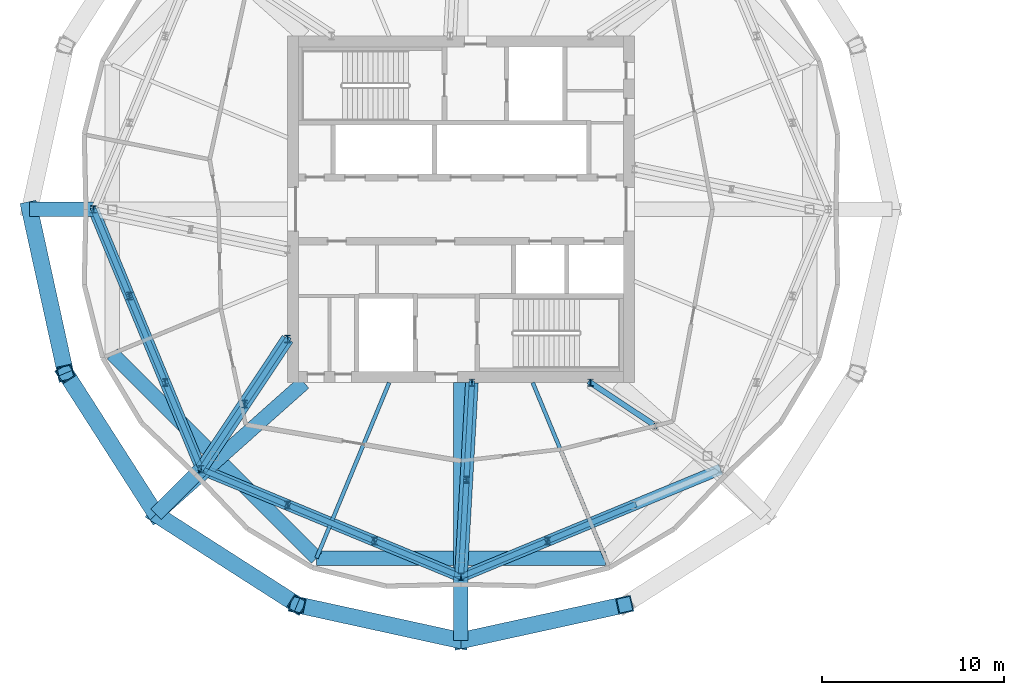
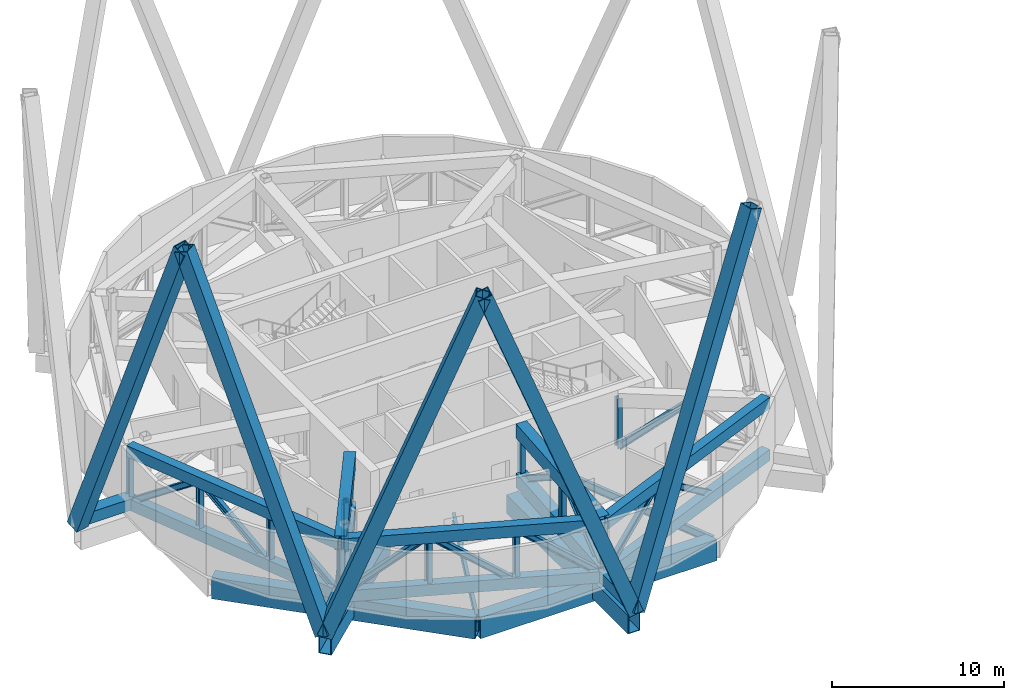
# One storey, part 3 of 19: 41 members, 9 beams.
"""IFC4 building model written with IfcOpenShell, lengths in metres."""

from ifc_helpers import new_model, si_unit, direction, frame, origin, origin_2d, place, context, subcontext, project, spatial, hollow_rectangle, i_section, extrude, material, material_profile, profile_set, type_object, element, save


model = new_model("IFC4")

# Units and contexts
model_context = context("Model", 3, precision=1e-05, world=origin(), true_north=direction((0.0, 1.0)))
body_context = subcontext(model_context, "Body", "Model", "MODEL_VIEW")
ifc_project = project(units=[si_unit("LENGTHUNIT", "METRE"), si_unit("AREAUNIT", "SQUARE_METRE"), si_unit("VOLUMEUNIT", "CUBIC_METRE"), si_unit("PLANEANGLEUNIT", "RADIAN"), si_unit("MASSUNIT", "GRAM", prefix="KILO")], contexts=[model_context])

# Site, building, storey
site_placement = place(None, origin())
site = spatial("IfcSite", under=ifc_project, at=site_placement, CompositionType="ELEMENT")
building_placement = place(site_placement, origin())
building = spatial("IfcBuilding", under=site, at=building_placement, Name="Ogive Gate Towers", CompositionType="ELEMENT")
storey_placement = place(building_placement, frame((0.0, 0.0, 216.300048828125)))
storey = spatial("IfcBuildingStorey", under=building, at=storey_placement, Name="L52", CompositionType="ELEMENT", Elevation=216.300048828125)

# Members
ifc_material_1 = material(Name="Steel SM460", Category="steel")
ifc_material_profile_1 = material_profile(ifc_material_1, hollow_rectangle(XDim=0.89990234375, YDim=0.89990234375, WallThickness=0.06005859375, at=origin_2d()), Name="BX 900x900x60")
ifc_profile_set_1 = profile_set([ifc_material_profile_1], Name="Steel SM460")
member_type_1 = type_object("IfcMemberType", Name="Diagrid diagonal BX 900x900x60", PredefinedType="BRACE", material=ifc_profile_set_1)
for number, where, z_axis, x_axis, name in (
    (1, (-59.639892578125, 0.0, 0.0), (0.075657502601, -0.345566183474, 0.935339486571), (0.976861702074, 0.21387195941, 0.0), "T1/L52/SDG010"),
    (2, (-52.716064453125, -16.716064453125, 0.0), (-0.190849196279, 0.297855932112, 0.935338670207), (-0.841987125326, -0.539497618887, 0.0), "T1/L52/SDG011"),
    (3, (-52.716064453125, -16.716064453125, 0.0), (0.297855932112, -0.190849196279, 0.935338670207), (0.539497618887, 0.841987125326, 0.0), "T1/L52/SDG012"),
    (4, (-36.0, -23.639892578125, 0.0), (-0.345566183474, 0.075657502601, 0.935339486571), (-0.21387195941, -0.976861702074, 0.0), "T1/L52/SDG013"),
    (5, (-36.0, -23.639892578125, 0.0), (0.345566183474, 0.075657502601, 0.935339486571), (-0.21387195941, 0.976861702074, 0.0), "T1/L52/SDG014"),
):
    element("IfcMember", number, at=place(storey_placement, frame(where, z_axis=z_axis, x_axis=x_axis)), inside=storey, type_object=member_type_1, Name=name, PredefinedType="BRACE", context=body_context, shape_type="SweptSolid", body=[
        extrude(hollow_rectangle(XDim=0.89990234375, YDim=0.89990234375, WallThickness=0.06005859375, at=origin_2d()), origin(), (0.0, 0.0, 1.0), 25.97998046875),
    ])

# Beams
ifc_material_profile_2 = material_profile(ifc_material_1, hollow_rectangle(XDim=0.800048828125, YDim=1.5, WallThickness=0.06005859375, at=origin_2d()), Name="BX 1500x800x60")
ifc_profile_set_2 = profile_set([ifc_material_profile_2], Name="Steel SM460")
beam_type_1 = type_object("IfcBeamType", Name="Edge girder BX 1500x800x60", PredefinedType="BEAM", material=ifc_profile_set_2)
beam_1_placement = place(storey_placement, frame((-55.114990234375, -7.917724609375, -1.050048828125), z_axis=(0.707106781187, -0.707106781187, 0.0), x_axis=(0.707106781187, 0.707106781187, 0.0)))
element("IfcBeam", 6, at=beam_1_placement, inside=storey, type_object=beam_type_1, Name="T1/L52/SBM017", PredefinedType="BEAM", context=body_context, shape_type="SweptSolid", body=[
    extrude(hollow_rectangle(XDim=0.800048828125, YDim=1.5, WallThickness=0.06005859375, at=origin_2d()), origin(), (0.0, 0.0, 1.0), 15.835205078125),
])
beam_2_placement = place(storey_placement, frame((-43.917724609375, -19.114990234375, -1.050048828125), z_axis=(1.0, 0.0, 0.0), x_axis=(0.0, 1.0, 0.0)))
element("IfcBeam", 7, at=beam_2_placement, inside=storey, type_object=beam_type_1, Name="T1/L52/SBM018", PredefinedType="BEAM", context=body_context, shape_type="SweptSolid", body=[
    extrude(hollow_rectangle(XDim=0.800048828125, YDim=1.5, WallThickness=0.06005859375, at=origin_2d()), origin(), (0.0, 0.0, 1.0), 15.83544921875),
])
ifc_material_profile_3 = material_profile(ifc_material_1, hollow_rectangle(XDim=0.800048828125, YDim=0.800048828125, WallThickness=0.050048828125, at=origin_2d()), Name="BX 800x800x50")
ifc_profile_set_3 = profile_set([ifc_material_profile_3], Name="Steel SM460")
beam_type_2 = type_object("IfcBeamType", Name="Node arm BX 800x800x50", PredefinedType="BEAM", material=ifc_profile_set_3)
for number, where, z_axis, x_axis, name in (
    (8, (-56.139892578125, 0.0, 0.449951171875), (-1.0, 0.0, 0.0), (0.0, -1.0, 0.0), "T1/L52/SBM029"),
    (9, (-50.2412109375, -14.2412109375, 0.449951171875), (-0.707106781187, -0.707106781187, 0.0), (0.707106781187, -0.707106781187, 0.0), "T1/L52/SBM030"),
    (10, (-36.0, -20.139892578125, 0.449951171875), (0.0, -1.0, 0.0), (1.0, 0.0, 0.0), "T1/L52/SBM031"),
):
    element("IfcBeam", number, at=place(storey_placement, frame(where, z_axis=z_axis, x_axis=x_axis)), inside=storey, type_object=beam_type_2, Name=name, PredefinedType="BEAM", context=body_context, shape_type="SweptSolid", body=[
        extrude(hollow_rectangle(XDim=0.800048828125, YDim=0.800048828125, WallThickness=0.050048828125, at=origin_2d()), origin(), (0.0, 0.0, 1.0), 3.5),
    ])
ifc_material_2 = material(Name="Steel SM355", Category="steel")
ifc_material_profile_4 = material_profile(ifc_material_2, i_section(OverallWidth=0.2099609375, OverallDepth=0.550048828125, WebThickness=0.010986328125, FlangeThickness=0.01708984375, FilletRadius=0.02392578125, at=origin_2d()), Name="IPE 550")
ifc_profile_set_4 = profile_set([ifc_material_profile_4], Name="Steel SM355")
beam_type_3 = type_object("IfcBeamType", Name="Radial floor beam IPE 550", PredefinedType="BEAM", material=ifc_profile_set_4)
for number, where, z_axis, x_axis, name in (
    (11, (-39.93505859375, -9.5, -0.574951171875), (-0.382683978464, -0.92387930631, 0.0), (0.92387930631, -0.382683978464, 0.0), "T1/L52/SBM003"),
    (12, (-32.06494140625, -9.5, -0.574951171875), (0.382683978464, -0.92387930631, 0.0), (0.92387930631, 0.382683978464, 0.0), "T1/L52/SBM005"),
):
    element("IfcBeam", number, at=place(storey_placement, frame(where, z_axis=z_axis, x_axis=x_axis)), inside=storey, type_object=beam_type_3, Name=name, PredefinedType="BEAM", context=body_context, shape_type="SweptSolid", body=[
        extrude(i_section(OverallWidth=0.2099609375, OverallDepth=0.550048828125, WebThickness=0.010986328125, FlangeThickness=0.01708984375, FilletRadius=0.02392578125, at=origin_2d()), origin(), (0.0, 0.0, 1.0), 10.4072265625),
    ])
ifc_material_profile_5 = material_profile(ifc_material_1, hollow_rectangle(XDim=0.800048828125, YDim=1.199951171875, WallThickness=0.050048828125, at=origin_2d()), Name="BX 1200x800x50")
ifc_profile_set_5 = profile_set([ifc_material_profile_5], Name="Steel SM460")
beam_type_4 = type_object("IfcBeamType", Name="Transfer radial beam BX 1200x800x50", PredefinedType="BEAM", material=ifc_profile_set_5)
beam_3_placement = place(storey_placement, frame((-44.60009765625, -9.5, -0.900146484375), z_axis=(-0.747323731033, -0.664460112449, 0.0), x_axis=(0.664460112449, -0.747323731033, 0.0)))
element("IfcBeam", 13, at=beam_3_placement, inside=storey, type_object=beam_type_4, Name="T1/L52/SBM002", PredefinedType="BEAM", context=body_context, shape_type="SweptSolid", body=[
    extrude(hollow_rectangle(XDim=0.800048828125, YDim=1.199951171875, WallThickness=0.050048828125, at=origin_2d()), origin(), (0.0, 0.0, 1.0), 10.860107421875),
])
ifc_material_profile_6 = material_profile(ifc_material_1, hollow_rectangle(XDim=0.800048828125, YDim=1.300048828125, WallThickness=0.050048828125, at=origin_2d()), Name="BX 1300x800x50")
ifc_profile_set_6 = profile_set([ifc_material_profile_6], Name="Steel SM460")
beam_type_5 = type_object("IfcBeamType", Name="Transfer radial beam BX 1300x800x50", PredefinedType="BEAM", material=ifc_profile_set_6)
beam_4_placement = place(storey_placement, frame((-36.0, -9.5, -0.949951171875), z_axis=(0.0, -1.0, 0.0), x_axis=(1.0, 0.0, 0.0)))
element("IfcBeam", 14, at=beam_4_placement, inside=storey, type_object=beam_type_5, Name="T1/L52/SBM004", PredefinedType="BEAM", context=body_context, shape_type="SweptSolid", body=[
    extrude(hollow_rectangle(XDim=0.800048828125, YDim=1.300048828125, WallThickness=0.050048828125, at=origin_2d()), origin(), (0.0, 0.0, 1.0), 14.139892578125),
])

# Members
ifc_material_profile_7 = material_profile(ifc_material_1, hollow_rectangle(XDim=0.699951171875, YDim=1.0, WallThickness=0.050048828125, at=origin_2d()), Name="BX 1000x700x50")
ifc_profile_set_7 = profile_set([ifc_material_profile_7], Name="Steel SM460")
member_type_2 = type_object("IfcMemberType", Name="Truss chord BX 1000x700x50", PredefinedType="CHORD", material=ifc_profile_set_7)
for number, where, z_axis, x_axis, name in (
    (15, (-45.5, -7.10009765625, 0.5), (-0.55312173103, -0.833100444522, 0.0), (0.833100444522, -0.55312173103, 0.0), "T1/L52/STR080"),
    (16, (-45.5, -7.10009765625, 4.0), (-0.55312173103, -0.833100444522, 0.0), (0.833100444522, -0.55312173103, 0.0), "T1/L52/STR081"),
):
    element("IfcMember", number, at=place(storey_placement, frame(where, z_axis=z_axis, x_axis=x_axis)), inside=storey, type_object=member_type_2, Name=name, PredefinedType="CHORD", context=body_context, shape_type="SweptSolid", body=[
        extrude(hollow_rectangle(XDim=0.699951171875, YDim=1.0, WallThickness=0.050048828125, at=origin_2d()), origin(), (0.0, 0.0, 1.0), 8.57177734375),
    ])
for number, where, z_axis, x_axis, name in (
    (17, (-35.39990234375, -9.5, 0.5), (-0.056311232009, -0.998413263709, 0.0), (0.998413263709, -0.056311232009, 0.0), "T1/L52/STR094"),
    (18, (-35.39990234375, -9.5, 4.0), (-0.056311232009, -0.998413263709, 0.0), (0.998413263709, -0.056311232009, 0.0), "T1/L52/STR095"),
):
    element("IfcMember", number, at=place(storey_placement, frame(where, z_axis=z_axis, x_axis=x_axis)), inside=storey, type_object=member_type_2, Name=name, PredefinedType="CHORD", context=body_context, shape_type="SweptSolid", body=[
        extrude(hollow_rectangle(XDim=0.699951171875, YDim=1.0, WallThickness=0.050048828125, at=origin_2d()), origin(), (0.0, 0.0, 1.0), 10.65673828125),
    ])
ifc_material_profile_8 = material_profile(ifc_material_1, hollow_rectangle(XDim=0.60009765625, YDim=0.800048828125, WallThickness=0.0400390625, at=origin_2d()), Name="BX 800x600x40")
ifc_profile_set_8 = profile_set([ifc_material_profile_8], Name="Steel SM460")
member_type_3 = type_object("IfcMemberType", Name="Truss chord BX 800x600x40", PredefinedType="CHORD", material=ifc_profile_set_8)
for number, where, z_axis, x_axis, name in (
    (19, (-56.139892578125, 0.0, 0.39990234375), (0.382671190687, -0.923884603085, 0.0), (0.923884603085, 0.382671190687, 0.0), "T1/L52/STR058"),
    (20, (-56.139892578125, 0.0, 4.099853515625), (0.382671190687, -0.923884603085, 0.0), (0.923884603085, 0.382671190687, 0.0), "T1/L52/STR059"),
    (21, (-50.2412109375, -14.2412109375, 0.39990234375), (0.923884603085, -0.382671190687, 0.0), (0.382671190687, 0.923884603085, 0.0), "T1/L52/STR072"),
    (22, (-50.2412109375, -14.2412109375, 4.099853515625), (0.923884603085, -0.382671190687, 0.0), (0.382671190687, 0.923884603085, 0.0), "T1/L52/STR073"),
    (23, (-36.0, -20.139892578125, 0.39990234375), (0.923884603085, 0.382671190687, 0.0), (-0.382671190687, 0.923884603085, 0.0), "T1/L52/STR086"),
    (24, (-36.0, -20.139892578125, 4.099853515625), (0.923884603085, 0.382671190687, 0.0), (-0.382671190687, 0.923884603085, 0.0), "T1/L52/STR087"),
):
    element("IfcMember", number, at=place(storey_placement, frame(where, z_axis=z_axis, x_axis=x_axis)), inside=storey, type_object=member_type_3, Name=name, PredefinedType="CHORD", context=body_context, shape_type="SweptSolid", body=[
        extrude(hollow_rectangle(XDim=0.60009765625, YDim=0.800048828125, WallThickness=0.0400390625, at=origin_2d()), origin(), (0.0, 0.0, 1.0), 15.41455078125),
    ])
ifc_material_profile_9 = material_profile(ifc_material_1, i_section(OverallWidth=0.300048828125, OverallDepth=0.39990234375, WebThickness=0.013427734375, FlangeThickness=0.02392578125, FilletRadius=0.027099609375, at=origin_2d()), Name="HE 400 B")
ifc_profile_set_9 = profile_set([ifc_material_profile_9], Name="Steel SM460")
member_type_4 = type_object("IfcMemberType", Name="Truss diagonal HE 400 B", PredefinedType="BRACE", material=ifc_profile_set_9)
member_1_placement = place(storey_placement, frame((-56.139892578125, 0.0, 0.39990234375), z_axis=(0.310514020445, -0.749737316967, 0.584358621613), x_axis=(0.923895801957, 0.382644152086, 0.0)))
element("IfcMember", 25, at=member_1_placement, inside=storey, type_object=member_type_4, Name="T1/L52/STR060", PredefinedType="BRACE", context=body_context, shape_type="SweptSolid", body=[
    extrude(i_section(OverallWidth=0.300048828125, OverallDepth=0.39990234375, WebThickness=0.013427734375, FlangeThickness=0.02392578125, FilletRadius=0.027099609375, at=origin_2d()), origin(), (0.0, 0.0, 1.0), 6.33154296875),
])
for number, where, z_axis, x_axis, name in (
    (26, (-54.173828125, -4.7470703125, 4.099853515625), (0.310548860821, -0.74972833993, -0.58435162475), (0.923879003455, 0.382684709619, 0.0), "T1/L52/STR061"),
    (27, (-52.20751953125, -9.494140625, 4.099853515625), (0.310548860821, -0.74972833993, -0.58435162475), (0.923879003455, 0.382684709619, 0.0), "T1/L52/STR062"),
    (28, (-50.2412109375, -14.2412109375, 0.39990234375), (0.74972833993, -0.310548860821, 0.58435162475), (0.382684709619, 0.923879003455, 0.0), "T1/L52/STR074"),
    (29, (-45.494140625, -16.20751953125, 4.099853515625), (0.74972833993, -0.310548860821, -0.58435162475), (0.382684709619, 0.923879003455, 0.0), "T1/L52/STR075"),
):
    element("IfcMember", number, at=place(storey_placement, frame(where, z_axis=z_axis, x_axis=x_axis)), inside=storey, type_object=member_type_4, Name=name, PredefinedType="BRACE", context=body_context, shape_type="SweptSolid", body=[
        extrude(i_section(OverallWidth=0.300048828125, OverallDepth=0.39990234375, WebThickness=0.013427734375, FlangeThickness=0.02392578125, FilletRadius=0.027099609375, at=origin_2d()), origin(), (0.0, 0.0, 1.0), 6.331787109375),
    ])
member_2_placement = place(storey_placement, frame((-40.7470703125, -18.173828125, 4.099853515625), z_axis=(0.749737316967, -0.310514020445, -0.584358621613), x_axis=(0.382644152086, 0.923895801957, 0.0)))
element("IfcMember", 30, at=member_2_placement, inside=storey, type_object=member_type_4, Name="T1/L52/STR076", PredefinedType="BRACE", context=body_context, shape_type="SweptSolid", body=[
    extrude(i_section(OverallWidth=0.300048828125, OverallDepth=0.39990234375, WebThickness=0.013427734375, FlangeThickness=0.02392578125, FilletRadius=0.027099609375, at=origin_2d()), origin(), (0.0, 0.0, 1.0), 6.33154296875),
])
for number, where, z_axis, x_axis, name in (
    (31, (-45.5, -7.10009765625, 0.5), (-0.428416607766, -0.645272182139, 0.632521162609), (0.833100444522, -0.55312173103, 0.0), "T1/L52/STR082"),
    (32, (-47.87060546875, -10.670654296875, 4.0), (-0.428416607766, -0.645272182139, -0.632521162609), (0.833100444522, -0.55312173103, 0.0), "T1/L52/STR083"),
):
    element("IfcMember", number, at=place(storey_placement, frame(where, z_axis=z_axis, x_axis=x_axis)), inside=storey, type_object=member_type_4, Name=name, PredefinedType="BRACE", context=body_context, shape_type="SweptSolid", body=[
        extrude(i_section(OverallWidth=0.300048828125, OverallDepth=0.39990234375, WebThickness=0.013427734375, FlangeThickness=0.02392578125, FilletRadius=0.027099609375, at=origin_2d()), origin(), (0.0, 0.0, 1.0), 5.533447265625),
    ])
member_3_placement = place(storey_placement, frame((-36.0, -20.139892578125, 0.39990234375), z_axis=(0.749737316967, 0.310514020445, 0.584358621613), x_axis=(-0.382644152086, 0.923895801957, 0.0)))
element("IfcMember", 33, at=member_3_placement, inside=storey, type_object=member_type_4, Name="T1/L52/STR088", PredefinedType="BRACE", context=body_context, shape_type="SweptSolid", body=[
    extrude(i_section(OverallWidth=0.300048828125, OverallDepth=0.39990234375, WebThickness=0.013427734375, FlangeThickness=0.02392578125, FilletRadius=0.027099609375, at=origin_2d()), origin(), (0.0, 0.0, 1.0), 6.33154296875),
])
member_4_placement = place(storey_placement, frame((-31.2529296875, -18.173828125, 4.099853515625), z_axis=(0.74972833993, 0.310548860821, -0.58435162475), x_axis=(-0.382684709619, 0.923879003455, 0.0)))
element("IfcMember", 34, at=member_4_placement, inside=storey, type_object=member_type_4, Name="T1/L52/STR089", PredefinedType="BRACE", context=body_context, shape_type="SweptSolid", body=[
    extrude(i_section(OverallWidth=0.300048828125, OverallDepth=0.39990234375, WebThickness=0.013427734375, FlangeThickness=0.02392578125, FilletRadius=0.027099609375, at=origin_2d()), origin(), (0.0, 0.0, 1.0), 6.331787109375),
])
member_5_placement = place(storey_placement, frame((-35.39990234375, -9.5, 0.5), z_axis=(-0.047065016943, -0.834494535564, 0.549002508459), x_axis=(0.998413336351, -0.056309944031, 0.0)))
element("IfcMember", 35, at=member_5_placement, inside=storey, type_object=member_type_4, Name="T1/L52/STR096", PredefinedType="BRACE", context=body_context, shape_type="SweptSolid", body=[
    extrude(i_section(OverallWidth=0.300048828125, OverallDepth=0.39990234375, WebThickness=0.013427734375, FlangeThickness=0.02392578125, FilletRadius=0.027099609375, at=origin_2d()), origin(), (0.0, 0.0, 1.0), 6.375244140625),
])
member_6_placement = place(storey_placement, frame((-35.699951171875, -14.820068359375, 4.0), z_axis=(-0.047066521051, -0.834482907807, -0.549020053526), x_axis=(0.998413191062, -0.056312520047, 0.0)))
element("IfcMember", 36, at=member_6_placement, inside=storey, type_object=member_type_4, Name="T1/L52/STR097", PredefinedType="BRACE", context=body_context, shape_type="SweptSolid", body=[
    extrude(i_section(OverallWidth=0.300048828125, OverallDepth=0.39990234375, WebThickness=0.013427734375, FlangeThickness=0.02392578125, FilletRadius=0.027099609375, at=origin_2d()), origin(), (0.0, 0.0, 1.0), 6.375),
])
member_7_placement = place(storey_placement, frame((-28.89990234375, -9.5, 0.5), z_axis=(0.645272182139, -0.428416607766, 0.632521162609), x_axis=(0.55312173103, 0.833100444522, 0.0)))
element("IfcMember", 37, at=member_7_placement, inside=storey, type_object=member_type_4, Name="T1/L52/STR109", PredefinedType="BRACE", context=body_context, shape_type="SweptSolid", body=[
    extrude(i_section(OverallWidth=0.300048828125, OverallDepth=0.39990234375, WebThickness=0.013427734375, FlangeThickness=0.02392578125, FilletRadius=0.027099609375, at=origin_2d()), origin(), (0.0, 0.0, 1.0), 5.533447265625),
])
ifc_material_profile_10 = material_profile(ifc_material_1, i_section(OverallWidth=0.300048828125, OverallDepth=0.39990234375, WebThickness=0.013427734375, FlangeThickness=0.02392578125, FilletRadius=0.027099609375, at=origin_2d()), Name="HE 400 B")
ifc_profile_set_10 = profile_set([ifc_material_profile_10], Name="Steel SM460")
member_type_5 = type_object("IfcMemberType", Name="Truss post HE 400 B", PredefinedType="POST", material=ifc_profile_set_10)
for number, where, z_axis, x_axis, name in (
    (38, (-56.139892578125, 0.0, 0.39990234375), (0.0, 0.0, 1.0), (1.0, 0.0, 0.0), "T1/L52/STR051"),
    (39, (-54.173828125, -4.7470703125, 0.39990234375), (0.0, 0.0, 1.0), (1.0, 0.0, 0.0), "T1/L52/STR063"),
    (40, (-52.20751953125, -9.494140625, 0.39990234375), (0.0, 0.0, 1.0), (1.0, 0.0, 0.0), "T1/L52/STR064"),
    (41, (-50.2412109375, -14.2412109375, 0.39990234375), (0.0, 0.0, 1.0), (1.0, 0.0, 0.0), "T1/L52/STR065"),
    (42, (-45.494140625, -16.20751953125, 0.39990234375), (0.0, 0.0, 1.0), (1.0, 0.0, 0.0), "T1/L52/STR077"),
    (43, (-40.7470703125, -18.173828125, 0.39990234375), (0.0, 0.0, 1.0), (1.0, 0.0, 0.0), "T1/L52/STR078"),
    (44, (-36.0, -20.139892578125, 0.39990234375), (0.0, 0.0, 1.0), (1.0, 0.0, 0.0), "T1/L52/STR079"),
):
    element("IfcMember", number, at=place(storey_placement, frame(where, z_axis=z_axis, x_axis=x_axis)), inside=storey, type_object=member_type_5, Name=name, PredefinedType="POST", context=body_context, shape_type="SweptSolid", body=[
        extrude(i_section(OverallWidth=0.300048828125, OverallDepth=0.39990234375, WebThickness=0.013427734375, FlangeThickness=0.02392578125, FilletRadius=0.027099609375, at=origin_2d()), origin(), (0.0, 0.0, 1.0), 3.699951171875),
    ])
for number, where, z_axis, x_axis, name in (
    (45, (-45.5, -7.10009765625, 0.5), (0.0, 0.0, 1.0), (1.0, 0.0, 0.0), "T1/L52/STR084"),
    (46, (-47.87060546875, -10.670654296875, 0.5), (0.0, 0.0, 1.0), (1.0, 0.0, 0.0), "T1/L52/STR085"),
):
    element("IfcMember", number, at=place(storey_placement, frame(where, z_axis=z_axis, x_axis=x_axis)), inside=storey, type_object=member_type_5, Name=name, PredefinedType="POST", context=body_context, shape_type="SweptSolid", body=[
        extrude(i_section(OverallWidth=0.300048828125, OverallDepth=0.39990234375, WebThickness=0.013427734375, FlangeThickness=0.02392578125, FilletRadius=0.027099609375, at=origin_2d()), origin(), (0.0, 0.0, 1.0), 3.5),
    ])
member_8_placement = place(storey_placement, frame((-31.2529296875, -18.173828125, 0.39990234375), z_axis=(0.0, 0.0, 1.0), x_axis=(1.0, 0.0, 0.0)))
element("IfcMember", 47, at=member_8_placement, inside=storey, type_object=member_type_5, Name="T1/L52/STR091", PredefinedType="POST", context=body_context, shape_type="SweptSolid", body=[
    extrude(i_section(OverallWidth=0.300048828125, OverallDepth=0.39990234375, WebThickness=0.013427734375, FlangeThickness=0.02392578125, FilletRadius=0.027099609375, at=origin_2d()), origin(), (0.0, 0.0, 1.0), 3.699951171875),
])
for number, where, z_axis, x_axis, name in (
    (48, (-35.39990234375, -9.5, 0.5), (0.0, 0.0, 1.0), (1.0, 0.0, 0.0), "T1/L52/STR098"),
    (49, (-35.699951171875, -14.820068359375, 0.5), (0.0, 0.0, 1.0), (1.0, 0.0, 0.0), "T1/L52/STR099"),
    (50, (-28.89990234375, -9.5, 0.5), (0.0, 0.0, 1.0), (1.0, 0.0, 0.0), "T1/L52/STR111"),
):
    element("IfcMember", number, at=place(storey_placement, frame(where, z_axis=z_axis, x_axis=x_axis)), inside=storey, type_object=member_type_5, Name=name, PredefinedType="POST", context=body_context, shape_type="SweptSolid", body=[
        extrude(i_section(OverallWidth=0.300048828125, OverallDepth=0.39990234375, WebThickness=0.013427734375, FlangeThickness=0.02392578125, FilletRadius=0.027099609375, at=origin_2d()), origin(), (0.0, 0.0, 1.0), 3.5),
    ])

save(model, "model.ifc")
